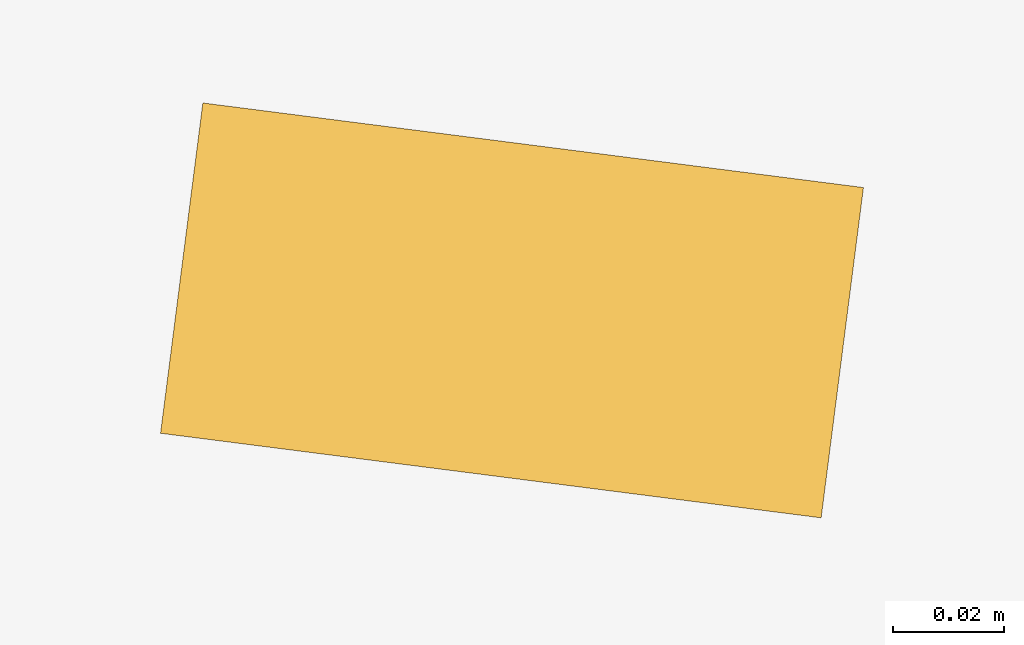
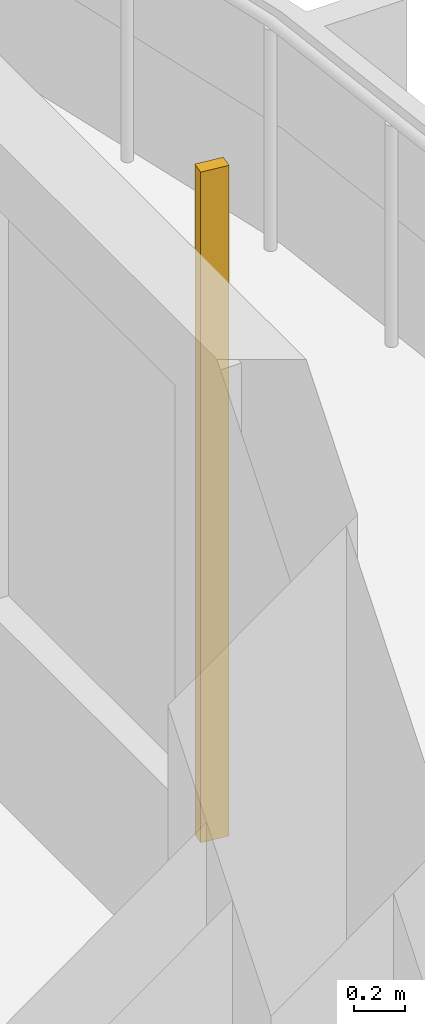
# One storey, part 21 of 23: 1 shading device.
"""IFC4 building model written with IfcOpenShell, lengths in metres."""

import ifcopenshell
import ifcopenshell.guid

model = None  # the IFC model being written
_history = None  # IfcOwnerHistory: only IFC2X3 demands one
_inside = {}  # id of a spatial element -> (the spatial element, [elements in it])
_under = {}  # id of a project, library or spatial element -> (it, [spatial elements below it])
_declared = {}  # id of a project -> (the project, [libraries it declares])
_typed = {}  # id of a type object -> (the type object, [elements of that type])
_made_of = {}  # id of a material, layer set ... -> (it, [elements and type objects made of it])


def new_model(schema):
    """Start an empty IFC model of exactly this schema.

    Asked for "IFC4X3", IfcOpenShell would pick the latest addendum, in which some entities
    have other attributes; the version numbers below select the first issue.
    IFC2X3 requires an IfcOwnerHistory on every rooted entity: one is made here for all.
    """
    global model, _history
    if schema == "IFC4X3":
        model = ifcopenshell.file(schema_version=(4, 3, 0, 0))
    else:
        model = ifcopenshell.file(schema=schema)
    _inside.clear()
    _under.clear()
    _declared.clear()
    _typed.clear()
    _made_of.clear()
    _history = None
    if model.schema == "IFC2X3":
        org = make("IfcOrganization", Name="unknown")
        user = make(
            "IfcPersonAndOrganization",
            ThePerson=make("IfcPerson", FamilyName="unknown"),
            TheOrganization=org,
        )
        app = make(
            "IfcApplication",
            ApplicationDeveloper=org,
            Version="unknown",
            ApplicationFullName="unknown",
            ApplicationIdentifier="unknown",
        )
        _history = make(
            "IfcOwnerHistory",
            OwningUser=user,
            OwningApplication=app,
            ChangeAction="ADDED",
            CreationDate=0,
        )
    return model


def make(cls, **values):
    """One entity of the class cls with the attributes given. An attribute that is None is left unset."""
    return model.create_entity(
        cls, **{name: value for name, value in values.items() if value is not None}
    )


def rooted(cls, **values):
    """An entity with a GlobalId (a new one), such as an element, a storey or a relation."""
    return make(cls, GlobalId=ifcopenshell.guid.new(), OwnerHistory=_history, **values)


def si_unit(unit_type, name, prefix=None):
    """IfcSIUnit, for example si_unit("LENGTHUNIT", "METRE", prefix="MILLI")."""
    return make("IfcSIUnit", UnitType=unit_type, Prefix=prefix, Name=name)


def assignment(units):
    """IfcUnitAssignment: the units of a project."""
    return None if units is None else make("IfcUnitAssignment", Units=units)


def point(xyz):
    """IfcCartesianPoint."""
    return None if xyz is None else make("IfcCartesianPoint", Coordinates=xyz)


def direction(xyz):
    """IfcDirection."""
    return None if xyz is None else make("IfcDirection", DirectionRatios=xyz)


def frame(location, z_axis=None, x_axis=None):
    """IfcAxis2Placement3D, a coordinate frame: its origin and axes. An axis left out is left unset."""
    return make(
        "IfcAxis2Placement3D",
        Location=point(location),
        Axis=direction(z_axis),
        RefDirection=direction(x_axis),
    )


def frame_2d(location, x_axis=None):
    """IfcAxis2Placement2D, a coordinate frame in the plane: its origin and x axis."""
    return make(
        "IfcAxis2Placement2D", Location=point(location), RefDirection=direction(x_axis)
    )


def origin():
    """The frame at (0, 0, 0) with its axes left unset."""
    return frame((0.0, 0.0, 0.0))


def origin_2d():
    """The frame at (0, 0) in the plane with its x axis left unset."""
    return frame_2d((0.0, 0.0))


def place(relative_to, where):
    """IfcLocalPlacement: puts the frame where relative to a parent placement (None: the world)."""
    return make(
        "IfcLocalPlacement", PlacementRelTo=relative_to, RelativePlacement=where
    )


def context(
    kind, dimensions, precision=None, world=None, true_north=None, identifier=None
):
    """IfcGeometricRepresentationContext, for example the 3D "Model" context."""
    return make(
        "IfcGeometricRepresentationContext",
        ContextIdentifier=identifier,
        ContextType=kind,
        CoordinateSpaceDimension=dimensions,
        Precision=precision,
        WorldCoordinateSystem=world,
        TrueNorth=true_north,
    )


def subcontext(parent, identifier, kind, view, scale=None):
    """IfcGeometricRepresentationSubContext, for example "Body" below "Model"."""
    return make(
        "IfcGeometricRepresentationSubContext",
        ContextIdentifier=identifier,
        ContextType=kind,
        ParentContext=parent,
        TargetScale=scale,
        TargetView=view,
    )


def project(units=None, contexts=None):
    """IfcProject with its units and contexts."""
    return rooted(
        "IfcProject",
        Name="project",
        RepresentationContexts=contexts,
        UnitsInContext=assignment(units),
    )


def spatial(cls, under=None, at=None, **own):
    """A site, building, storey or space (cls), placed at a placement, below another one or the project."""
    s = rooted(cls, ObjectPlacement=at, **own)
    if under is not None:
        _under.setdefault(under.id(), (under, []))[1].append(s)
    return s


def profile(cls, at=None, kind="AREA", **sizes):
    """A parametric profile (cls). Its sizes go by their IFC names, for example OverallWidth=200.0."""
    return make(cls, ProfileType=kind, Position=at, **sizes)


def rectangle(**sizes):
    """IfcRectangleProfileDef."""
    return profile("IfcRectangleProfileDef", **sizes)


def extrude(swept, where, along, depth):
    """IfcExtrudedAreaSolid: the profile swept, set in the frame where, extruded along a direction by depth."""
    return make(
        "IfcExtrudedAreaSolid",
        SweptArea=swept,
        Position=where,
        ExtrudedDirection=direction(along),
        Depth=depth,
    )


def shape(context_of_items, identifier, shape_type, items):
    """IfcShapeRepresentation: the items that make up one representation, for example the "Body"."""
    return make(
        "IfcShapeRepresentation",
        ContextOfItems=context_of_items,
        RepresentationIdentifier=identifier,
        RepresentationType=shape_type,
        Items=items,
    )


def source(mapping_origin, context_of_items, identifier, shape_type, items):
    """IfcRepresentationMap: a shape defined once, which mapped items show again and again."""
    return make(
        "IfcRepresentationMap",
        MappingOrigin=mapping_origin,
        MappedRepresentation=shape(context_of_items, identifier, shape_type, items),
    )


def transform(
    local_origin,
    x_axis=None,
    y_axis=None,
    z_axis=None,
    scale=None,
    scale2=None,
    scale3=None,
    uniform=True,
):
    """IfcCartesianTransformationOperator3D, or its non-uniform kind. x_axis, y_axis, z_axis: its Axis1, 2, 3."""
    if uniform:
        return make(
            "IfcCartesianTransformationOperator3D",
            Axis1=direction(x_axis),
            Axis2=direction(y_axis),
            LocalOrigin=point(local_origin),
            Scale=scale,
            Axis3=direction(z_axis),
        )
    return make(
        "IfcCartesianTransformationOperator3DnonUniform",
        Axis1=direction(x_axis),
        Axis2=direction(y_axis),
        LocalOrigin=point(local_origin),
        Scale=scale,
        Axis3=direction(z_axis),
        Scale2=scale2,
        Scale3=scale3,
    )


def mapped(mapping_source, mapping_target):
    """IfcMappedItem: shows the shape of a source again, moved by a transform."""
    return make(
        "IfcMappedItem", MappingSource=mapping_source, MappingTarget=mapping_target
    )


def material(Name=None, Category=None):
    """IfcMaterial."""
    return make("IfcMaterial", Name=Name, Category=Category)


def material_profile(
    of_material, cross_section, Name=None, Category=None, Priority=None
):
    """IfcMaterialProfile: a cross section and its material."""
    return make(
        "IfcMaterialProfile",
        Name=Name,
        Material=of_material,
        Profile=cross_section,
        Priority=Priority,
        Category=Category,
    )


def profile_set(profiles, Name=None, composite=None):
    """IfcMaterialProfileSet."""
    return make(
        "IfcMaterialProfileSet",
        Name=Name,
        MaterialProfiles=profiles,
        CompositeProfile=composite,
    )


def made_of(thing, what):
    """Note that an element or type object is made of a material, layer set ...; save() writes the relation."""
    if what is not None:
        _made_of.setdefault(what.id(), (what, []))[1].append(thing)
    return thing


def type_object(cls, material=None, **own):
    """A type object (cls), such as IfcWallType, which elements share."""
    return made_of(rooted(cls, **own), material)


def element(
    cls,
    number,
    at=None,
    inside=None,
    cuts=None,
    type_object=None,
    material=None,
    context=None,
    identifier="Body",
    shape_type=None,
    held_by="IfcProductDefinitionShape",
    body=None,
    shapes=None,
    **own,
):
    """One element of the class cls, such as IfcWall. Its Tag is "e" and its number.

    at: its placement. inside: the storey or other place that contains it. cuts: it is an
    opening in that element (IfcRelVoidsElement). A single representation is given by context,
    identifier, shape_type and body (its items); several are given by shapes. held_by: the class
    of the entity that holds the representations. save() writes the other relations.
    """
    e = rooted(cls, Tag="e%d" % number, ObjectPlacement=at, **own)
    if body is not None:
        shapes = [shape(context, identifier, shape_type, body)]
    if shapes is not None:
        e.Representation = make(held_by, Representations=shapes)
    if inside is not None:
        _inside.setdefault(inside.id(), (inside, []))[1].append(e)
    if cuts is not None:
        rooted(
            "IfcRelVoidsElement", RelatingBuildingElement=cuts, RelatedOpeningElement=e
        )
    if type_object is not None:
        _typed.setdefault(type_object.id(), (type_object, []))[1].append(e)
    return made_of(e, material)


def aggregate(whole, parts):
    """IfcRelAggregates: a whole, such as a stair, and the parts it consists of."""
    return rooted("IfcRelAggregates", RelatingObject=whole, RelatedObjects=parts)


def save(model, path):
    """Write the relations noted so far, then the file.

    IfcRelAggregates (storeys below a building ...), IfcRelContainedInSpatialStructure (elements
    in a storey), IfcRelDefinesByType, IfcRelAssociatesMaterial and IfcRelDeclares: one each for
    every whole, place, type object, material and project.
    """
    for whole, parts in _under.values():
        aggregate(whole, parts)
    for where, things in _inside.values():
        rooted(
            "IfcRelContainedInSpatialStructure",
            RelatedElements=things,
            RelatingStructure=where,
        )
    for kind, things in _typed.values():
        rooted("IfcRelDefinesByType", RelatedObjects=things, RelatingType=kind)
    for what, things in _made_of.values():
        rooted("IfcRelAssociatesMaterial", RelatedObjects=things, RelatingMaterial=what)
    for by, libraries in _declared.values():
        rooted("IfcRelDeclares", RelatingContext=by, RelatedDefinitions=libraries)
    model.write(path)


model = new_model("IFC4")

# Units and contexts
model_context = context("Model", 3, precision=1e-05, world=origin(), true_north=direction((0.0, 1.0)))
body_context = subcontext(model_context, "Body", "Model", "MODEL_VIEW")
ifc_project = project(units=[si_unit("LENGTHUNIT", "METRE"), si_unit("AREAUNIT", "SQUARE_METRE"), si_unit("VOLUMEUNIT", "CUBIC_METRE"), si_unit("PLANEANGLEUNIT", "RADIAN"), si_unit("MASSUNIT", "GRAM", prefix="KILO")], contexts=[model_context])

# Site, building, storey
site_placement = place(None, origin())
site = spatial("IfcSite", under=ifc_project, at=site_placement, CompositionType="ELEMENT")
building_placement = place(site_placement, origin())
building = spatial("IfcBuilding", under=site, at=building_placement, Name="Kilnfold Tower and Market Hall", CompositionType="ELEMENT")
storey_placement = place(building_placement, frame((0.0, 0.0, 150.699951171875)))
storey = spatial("IfcBuildingStorey", under=building, at=storey_placement, Name="L34", CompositionType="ELEMENT", Elevation=150.699951171875)

# Shading device
ifc_material = material(Name="Terracotta", Category="masonry")
ifc_material_profile = material_profile(ifc_material, rectangle(XDim=0.06005859375, YDim=0.1201171875, at=origin_2d()), Name="BAG 60x120")
ifc_profile_set = profile_set([ifc_material_profile], Name="Terracotta")
shading_device_type = type_object("IfcShadingDeviceType", Name="BAGUETTE", PredefinedType="USERDEFINED", material=ifc_profile_set)
shared_shape = source(origin(), body_context, "Body", "SweptSolid", [
    extrude(rectangle(XDim=0.06005859375, YDim=0.1201171875, at=origin_2d()), origin(), (0.0, 0.0, 1.0), 3.179931640625),
])
shading_device_placement = place(storey_placement, frame((25.550048828125, 10.050048828125, 0.0), z_axis=(0.0, 0.0, 1.0), x_axis=(0.126995360996, 0.991903310956, 0.0)))
element("IfcShadingDevice", 1, at=shading_device_placement, inside=storey, type_object=shading_device_type, Name="Terracotta baguette L34 E", ObjectType="BAGUETTE", PredefinedType="USERDEFINED", context=body_context, shape_type="MappedRepresentation", body=[
    mapped(shared_shape, transform((0.0, 0.0, 0.0))),
])

save(model, "model.ifc")
